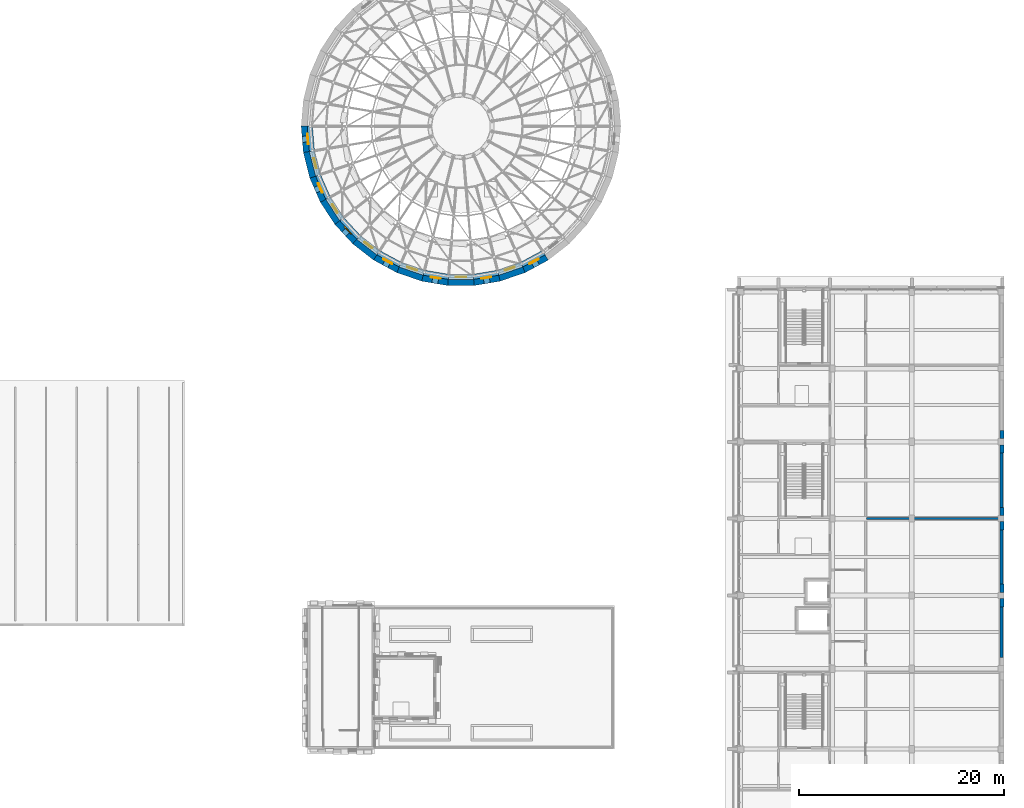
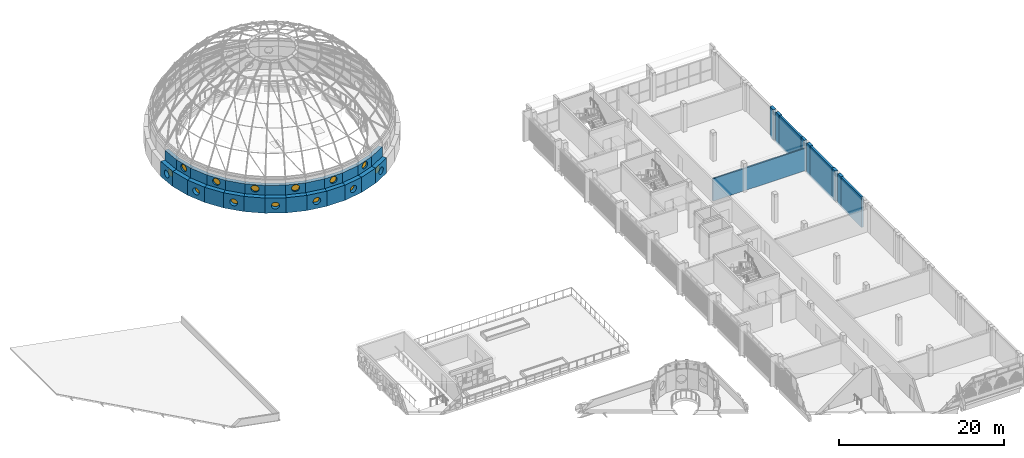
# One storey, part 56 of 98: 36 walls, 13 windows, 13 openings.
"""IFC4 building model written with IfcOpenShell, lengths in metres."""

from ifc_helpers import new_model, si_unit, direction, frame, frame_2d, origin, place, context, subcontext, project, spatial, polyline, rectangle, circle, outline, extrude, material, layer, layer_set, type_object, element, fill, save


model = new_model("IFC4")

# Units and contexts
model_context = context("Model", 3, precision=1e-05, world=origin(), true_north=direction((0.0, 1.0)))
body_context = subcontext(model_context, "Body", "Model", "MODEL_VIEW")
ifc_project = project(units=[si_unit("LENGTHUNIT", "METRE"), si_unit("AREAUNIT", "SQUARE_METRE"), si_unit("VOLUMEUNIT", "CUBIC_METRE"), si_unit("PLANEANGLEUNIT", "RADIAN"), si_unit("MASSUNIT", "GRAM", prefix="KILO")], contexts=[model_context])

# Site, building, storey
site_placement = place(None, origin())
site = spatial("IfcSite", under=ifc_project, at=site_placement, CompositionType="ELEMENT")
building_placement = place(site_placement, origin())
building = spatial("IfcBuilding", under=site, at=building_placement, Name="Sun Court Science Centre", CompositionType="ELEMENT")
storey_placement = place(building_placement, frame((0.0, 0.0, 15.75)))
storey = spatial("IfcBuildingStorey", under=building, at=storey_placement, Name="L03", CompositionType="ELEMENT", Elevation=15.75)

# Wall
ifc_material_1 = material(Name="Concrete block", Category="concrete")
ifc_layer_1 = layer(ifc_material_1, 0.199951171875)
ifc_layer_set_1 = layer_set([ifc_layer_1], Name="Concrete block")
wall_type_1 = type_object("IfcWallType", Name="Partition 200 laboratory block", PredefinedType="PARTITIONING", material=ifc_layer_set_1)
wall_1_placement = place(storey_placement, frame((90.60009765625, 58.5, 0.0), z_axis=(0.0, 0.0, 1.0), x_axis=(1.0, 0.0, 0.0)))
element("IfcWall", 1, at=wall_1_placement, inside=storey, type_object=wall_type_1, Name="L03 partition 012", PredefinedType="PARTITIONING", context=body_context, shape_type="SweptSolid", body=[
    extrude(rectangle(XDim=13.199951171875, YDim=0.199951171875, at=frame_2d((6.60009765625, 0.0))), origin(), (0.0, 0.0, 1.0), 3.300048828125),
])

# Wall, opening, window
ifc_material_2 = material(Name="Concrete C30/37", Category="concrete")
ifc_layer_2 = layer(ifc_material_2, 1.097900390625)
ifc_layer_set_2 = layer_set([ifc_layer_2], Name="Concrete C30/37")
wall_type_2 = type_object("IfcWallType", Name="RC drum wall exterior 1098", PredefinedType="SHEAR", material=ifc_layer_set_2)
wall_2_placement = place(storey_placement, frame((35.947021484375, 96.84521484375, -0.300048828125), z_axis=(0.0, 0.0, 1.0), x_axis=(0.082629840091, -0.996580307615, 0.0)))
wall_2 = element("IfcWall", 2, at=wall_2_placement, inside=storey, type_object=wall_type_2, Name="Drum wall L03 course 1 segment 19", PredefinedType="SHEAR", context=body_context, shape_type="SweptSolid", body=[
    extrude(outline(polyline([(-0.000244140625, -0.549072265625), (2.576171875, -0.549072265625), (2.4853515625, 0.549072265625), (0.0908203125, 0.549072265625), (-0.000244140625, -0.549072265625)])), origin(), (0.0, 0.0, 1.0), 2.25),
])
opening_1_placement = place(wall_2_placement, frame((0.788330078125, 0.0, 0.60009765625)))
opening_1 = element("IfcOpeningElement", 3, at=opening_1_placement, cuts=wall_2, Name="Opening WN-L03-062", PredefinedType="OPENING", context=body_context, shape_type="SweptSolid", body=[
    extrude(circle(Radius=0.5, at=frame_2d((0.5, 0.5))), frame((0.0, 0.558837890625, 0.0), z_axis=(0.0, -1.0, 0.0), x_axis=(1.0, 0.0, 0.0)), (0.0, 0.0, 1.0), 1.117919921875),
])
ifc_material_3 = material(Name="Aluminium frame, 6-12-6 glazing", Category="aluminium")
window_type = type_object("IfcWindowType", Name="Round porthole 1000", PartitioningType="SINGLE_PANEL", PredefinedType="WINDOW", material=ifc_material_3)
window_1_placement = place(opening_1_placement, origin())
window_1 = element("IfcWindow", 4, at=window_1_placement, inside=storey, type_object=window_type, Name="Drum porthole L03 19", OverallHeight=1.0, OverallWidth=1.0, PartitioningType="SINGLE_PANEL", PredefinedType="WINDOW", context=body_context, shape_type="SweptSolid", body=[
    extrude(circle(Radius=0.5, at=frame_2d((0.5, 0.5))), frame((0.0, 0.030029296875, 0.0), z_axis=(0.0, -1.0, 0.0), x_axis=(1.0, 0.0, 0.0)), (0.0, 0.0, 1.0), 0.06005859375),
])
fill(opening_1, window_1)

# Wall
wall_3_placement = place(storey_placement, frame((36.14501953125, 94.3671875, -0.300048828125), z_axis=(0.0, 0.0, 1.0), x_axis=(0.245410595313, -0.969419228048, 0.0)))
element("IfcWall", 5, at=wall_3_placement, inside=storey, type_object=wall_type_2, Name="Drum wall L03 course 1 segment 20", PredefinedType="SHEAR", context=body_context, shape_type="SweptSolid", body=[
    extrude(outline(polyline([(0.0, -0.549072265625), (2.57666015625, -0.548828125), (2.485595703125, 0.549072265625), (0.0908203125, 0.548828125), (0.0, -0.549072265625)])), origin(), (0.0, 0.0, 1.0), 2.25),
])

# Wall, opening, window
wall_4_placement = place(storey_placement, frame((36.748046875, 91.955322265625, -0.300048828125), z_axis=(0.0, 0.0, 1.0), x_axis=(0.401658706786, -0.915789431727, 0.0)))
wall_4 = element("IfcWall", 6, at=wall_4_placement, inside=storey, type_object=wall_type_2, Name="Drum wall L03 course 1 segment 21", PredefinedType="SHEAR", context=body_context, shape_type="SweptSolid", body=[
    extrude(outline(polyline([(0.000244140625, -0.549072265625), (2.57666015625, -0.548828125), (2.4853515625, 0.548828125), (0.09130859375, 0.548828125), (0.000244140625, -0.549072265625)])), origin(), (0.0, 0.0, 1.0), 2.25),
])
opening_2_placement = place(wall_4_placement, frame((0.788330078125, 0.0, 0.60009765625)))
opening_2 = element("IfcOpeningElement", 7, at=opening_2_placement, cuts=wall_4, Name="Opening WN-L03-063", PredefinedType="OPENING", context=body_context, shape_type="SweptSolid", body=[
    extrude(circle(Radius=0.5, at=frame_2d((0.5, 0.5))), frame((0.0, 0.558837890625, 0.0), z_axis=(0.0, -1.0, 0.0), x_axis=(1.0, 0.0, 0.0)), (0.0, 0.0, 1.0), 1.117919921875),
])
window_2_placement = place(opening_2_placement, origin())
window_2 = element("IfcWindow", 8, at=window_2_placement, inside=storey, type_object=window_type, Name="Drum porthole L03 21", OverallHeight=1.0, OverallWidth=1.0, PartitioningType="SINGLE_PANEL", PredefinedType="WINDOW", context=body_context, shape_type="SweptSolid", body=[
    extrude(circle(Radius=0.5, at=frame_2d((0.5, 0.5))), frame((0.0, 0.030029296875, 0.0), z_axis=(0.0, -1.0, 0.0), x_axis=(1.0, 0.0, 0.0)), (0.0, 0.0, 1.0), 0.06005859375),
])
fill(opening_2, window_2)

# Wall
wall_5_placement = place(storey_placement, frame((37.73974609375, 89.675537109375, -0.300048828125), z_axis=(0.0, 0.0, 1.0), x_axis=(0.546935301956, -0.837174877474, 0.0)))
element("IfcWall", 9, at=wall_5_placement, inside=storey, type_object=wall_type_2, Name="Drum wall L03 course 1 segment 22", PredefinedType="SHEAR", context=body_context, shape_type="SweptSolid", body=[
    extrude(outline(polyline([(0.0, -0.548828125), (2.57666015625, -0.548828125), (2.485595703125, 0.549072265625), (0.0908203125, 0.548828125), (0.0, -0.548828125)])), origin(), (0.0, 0.0, 1.0), 2.25),
])

# Wall, opening, window
wall_6_placement = place(storey_placement, frame((39.09326171875, 87.590087890625, -0.300048828125), z_axis=(0.0, 0.0, 1.0), x_axis=(0.677319243908, -0.735689229113, 0.0)))
wall_6 = element("IfcWall", 10, at=wall_6_placement, inside=storey, type_object=wall_type_2, Name="Drum wall L03 course 1 segment 23", PredefinedType="SHEAR", context=body_context, shape_type="SweptSolid", body=[
    extrude(outline(polyline([(0.0, -0.548828125), (2.576416015625, -0.549072265625), (2.485595703125, 0.549072265625), (0.091064453125, 0.549072265625), (0.0, -0.548828125)])), origin(), (0.0, 0.0, 1.0), 2.25),
])
opening_3_placement = place(wall_6_placement, frame((0.788330078125, 0.0, 0.60009765625)))
opening_3 = element("IfcOpeningElement", 11, at=opening_3_placement, cuts=wall_6, Name="Opening WN-L03-064", PredefinedType="OPENING", context=body_context, shape_type="SweptSolid", body=[
    extrude(circle(Radius=0.5, at=frame_2d((0.5, 0.5))), frame((0.0, 0.558837890625, 0.0), z_axis=(0.0, -1.0, 0.0), x_axis=(1.0, 0.0, 0.0)), (0.0, 0.0, 1.0), 1.117919921875),
])
window_3_placement = place(opening_3_placement, origin())
window_3 = element("IfcWindow", 12, at=window_3_placement, inside=storey, type_object=window_type, Name="Drum porthole L03 23", OverallHeight=1.0, OverallWidth=1.0, PartitioningType="SINGLE_PANEL", PredefinedType="WINDOW", context=body_context, shape_type="SweptSolid", body=[
    extrude(circle(Radius=0.5, at=frame_2d((0.5, 0.5))), frame((0.0, 0.030029296875, 0.0), z_axis=(0.0, -1.0, 0.0), x_axis=(1.0, 0.0, 0.0)), (0.0, 0.0, 1.0), 0.06005859375),
])
fill(opening_3, window_3)

# Wall
wall_7_placement = place(storey_placement, frame((40.771484375, 85.755859375, -0.300048828125), z_axis=(0.0, 0.0, 1.0), x_axis=(0.789137872262, -0.614216100865, 0.0)))
element("IfcWall", 13, at=wall_7_placement, inside=storey, type_object=wall_type_2, Name="Drum wall L03 course 1 segment 24", PredefinedType="SHEAR", context=body_context, shape_type="SweptSolid", body=[
    extrude(outline(polyline([(0.0, -0.548828125), (2.576416015625, -0.548828125), (2.485595703125, 0.54931640625), (0.091064453125, 0.549072265625), (0.0, -0.548828125)])), origin(), (0.0, 0.0, 1.0), 2.25),
])

# Wall, opening, window
wall_8_placement = place(storey_placement, frame((42.72900390625, 84.222900390625, -0.300048828125), z_axis=(0.0, 0.0, 1.0), x_axis=(0.879498582299, -0.475901506336, 0.0)))
wall_8 = element("IfcWall", 14, at=wall_8_placement, inside=storey, type_object=wall_type_2, Name="Drum wall L03 course 1 segment 25", PredefinedType="SHEAR", context=body_context, shape_type="SweptSolid", body=[
    extrude(outline(polyline([(-0.000244140625, -0.548828125), (2.576416015625, -0.549072265625), (2.4853515625, 0.548828125), (0.0908203125, 0.549072265625), (-0.000244140625, -0.548828125)])), origin(), (0.0, 0.0, 1.0), 2.25),
])
opening_4_placement = place(wall_8_placement, frame((0.788330078125, 0.0, 0.60009765625)))
opening_4 = element("IfcOpeningElement", 15, at=opening_4_placement, cuts=wall_8, Name="Opening WN-L03-065", PredefinedType="OPENING", context=body_context, shape_type="SweptSolid", body=[
    extrude(circle(Radius=0.5, at=frame_2d((0.5, 0.5))), frame((0.0, 0.558837890625, 0.0), z_axis=(0.0, -1.0, 0.0), x_axis=(1.0, 0.0, 0.0)), (0.0, 0.0, 1.0), 1.117919921875),
])
window_4_placement = place(opening_4_placement, origin())
window_4 = element("IfcWindow", 16, at=window_4_placement, inside=storey, type_object=window_type, Name="Drum porthole L03 25", OverallHeight=1.0, OverallWidth=1.0, PartitioningType="SINGLE_PANEL", PredefinedType="WINDOW", context=body_context, shape_type="SweptSolid", body=[
    extrude(circle(Radius=0.5, at=frame_2d((0.5, 0.5))), frame((0.0, 0.030029296875, 0.0), z_axis=(0.0, -1.0, 0.0), x_axis=(1.0, 0.0, 0.0)), (0.0, 0.0, 1.0), 0.06005859375),
])
fill(opening_4, window_4)

# Wall
wall_9_placement = place(storey_placement, frame((44.911865234375, 83.033203125, -0.300048828125), z_axis=(0.0, 0.0, 1.0), x_axis=(0.945802155288, -0.324743411098, 0.0)))
element("IfcWall", 17, at=wall_9_placement, inside=storey, type_object=wall_type_2, Name="Drum wall L03 course 1 segment 26", PredefinedType="SHEAR", context=body_context, shape_type="SweptSolid", body=[
    extrude(outline(polyline([(0.0, -0.549072265625), (2.576416015625, -0.548828125), (2.4853515625, 0.549072265625), (0.0908203125, 0.549072265625), (0.0, -0.549072265625)])), origin(), (0.0, 0.0, 1.0), 2.25),
])

# Wall, opening, window
wall_10_placement = place(storey_placement, frame((47.2607421875, 82.21875, -0.300048828125), z_axis=(0.0, 0.0, 1.0), x_axis=(0.986360609423, -0.164598749022, 0.0)))
wall_10 = element("IfcWall", 18, at=wall_10_placement, inside=storey, type_object=wall_type_2, Name="Drum wall L03 course 1 segment 27", PredefinedType="SHEAR", context=body_context, shape_type="SweptSolid", body=[
    extrude(outline(polyline([(0.0, -0.548828125), (2.57666015625, -0.548583984375), (2.485595703125, 0.549072265625), (0.091064453125, 0.549072265625), (0.0, -0.548828125)])), origin(), (0.0, 0.0, 1.0), 2.25),
])
opening_5_placement = place(wall_10_placement, frame((0.788330078125, 0.0, 0.60009765625)))
opening_5 = element("IfcOpeningElement", 19, at=opening_5_placement, cuts=wall_10, Name="Opening WN-L03-066", PredefinedType="OPENING", context=body_context, shape_type="SweptSolid", body=[
    extrude(circle(Radius=0.5, at=frame_2d((0.5, 0.5))), frame((0.0, 0.558837890625, 0.0), z_axis=(0.0, -1.0, 0.0), x_axis=(1.0, 0.0, 0.0)), (0.0, 0.0, 1.0), 1.117919921875),
])
window_5_placement = place(opening_5_placement, origin())
window_5 = element("IfcWindow", 20, at=window_5_placement, inside=storey, type_object=window_type, Name="Drum porthole L03 27", OverallHeight=1.0, OverallWidth=1.0, PartitioningType="SINGLE_PANEL", PredefinedType="WINDOW", context=body_context, shape_type="SweptSolid", body=[
    extrude(circle(Radius=0.5, at=frame_2d((0.5, 0.5))), frame((0.0, 0.030029296875, 0.0), z_axis=(0.0, -1.0, 0.0), x_axis=(1.0, 0.0, 0.0)), (0.0, 0.0, 1.0), 0.06005859375),
])
fill(opening_5, window_5)

# Wall
wall_11_placement = place(storey_placement, frame((49.711669921875, 81.80224609375, -0.300048828125), z_axis=(0.0, 0.0, 1.0), x_axis=(1.0, 0.0, 0.0)))
element("IfcWall", 21, at=wall_11_placement, inside=storey, type_object=wall_type_2, Name="Drum wall L03 course 1 segment 28", PredefinedType="SHEAR", context=body_context, shape_type="SweptSolid", body=[
    extrude(outline(polyline([(0.000244140625, -0.548828125), (2.576416015625, -0.548828125), (2.485595703125, 0.549072265625), (0.091064453125, 0.549072265625), (0.000244140625, -0.548828125)])), origin(), (0.0, 0.0, 1.0), 2.25),
])

# Wall, opening, window
wall_12_placement = place(storey_placement, frame((52.197998046875, 81.794677734375, -0.300048828125), z_axis=(0.0, 0.0, 1.0), x_axis=(0.986360609423, 0.164598749022, 0.0)))
wall_12 = element("IfcWall", 22, at=wall_12_placement, inside=storey, type_object=wall_type_2, Name="Drum wall L03 course 1 segment 29", PredefinedType="SHEAR", context=body_context, shape_type="SweptSolid", body=[
    extrude(outline(polyline([(-0.000244140625, -0.548583984375), (2.576416015625, -0.548828125), (2.4853515625, 0.549072265625), (0.0908203125, 0.549072265625), (-0.000244140625, -0.548583984375)])), origin(), (0.0, 0.0, 1.0), 2.25),
])
opening_6_placement = place(wall_12_placement, frame((0.788330078125, 0.0, 0.60009765625)))
opening_6 = element("IfcOpeningElement", 23, at=opening_6_placement, cuts=wall_12, Name="Opening WN-L03-067", PredefinedType="OPENING", context=body_context, shape_type="SweptSolid", body=[
    extrude(circle(Radius=0.5, at=frame_2d((0.5, 0.5))), frame((0.0, 0.558837890625, 0.0), z_axis=(0.0, -1.0, 0.0), x_axis=(1.0, 0.0, 0.0)), (0.0, 0.0, 1.0), 1.117919921875),
])
window_6_placement = place(opening_6_placement, origin())
window_6 = element("IfcWindow", 24, at=window_6_placement, inside=storey, type_object=window_type, Name="Drum porthole L03 29", OverallHeight=1.0, OverallWidth=1.0, PartitioningType="SINGLE_PANEL", PredefinedType="WINDOW", context=body_context, shape_type="SweptSolid", body=[
    extrude(circle(Radius=0.5, at=frame_2d((0.5, 0.5))), frame((0.0, 0.030029296875, 0.0), z_axis=(0.0, -1.0, 0.0), x_axis=(1.0, 0.0, 0.0)), (0.0, 0.0, 1.0), 0.06005859375),
])
fill(opening_6, window_6)

# Wall
wall_13_placement = place(storey_placement, frame((54.6513671875, 82.196533203125, -0.300048828125), z_axis=(0.0, 0.0, 1.0), x_axis=(0.945802155288, 0.324743411098, 0.0)))
element("IfcWall", 25, at=wall_13_placement, inside=storey, type_object=wall_type_2, Name="Drum wall L03 course 1 segment 30", PredefinedType="SHEAR", context=body_context, shape_type="SweptSolid", body=[
    extrude(outline(polyline([(0.0, -0.548828125), (2.576416015625, -0.549072265625), (2.485595703125, 0.549072265625), (0.091064453125, 0.549072265625), (0.0, -0.548828125)])), origin(), (0.0, 0.0, 1.0), 2.25),
])

# Wall, opening, window
wall_14_placement = place(storey_placement, frame((57.005126953125, 82.996826171875, -0.300048828125), z_axis=(0.0, 0.0, 1.0), x_axis=(0.879498582299, 0.475901506336, 0.0)))
wall_14 = element("IfcWall", 26, at=wall_14_placement, inside=storey, type_object=wall_type_2, Name="Drum wall L03 course 1 segment 31", PredefinedType="SHEAR", context=body_context, shape_type="SweptSolid", body=[
    extrude(outline(polyline([(0.0, -0.549072265625), (2.57666015625, -0.548828125), (2.4853515625, 0.549072265625), (0.091064453125, 0.548828125), (0.0, -0.549072265625)])), origin(), (0.0, 0.0, 1.0), 2.25),
])
opening_7_placement = place(wall_14_placement, frame((0.788330078125, 0.0, 0.60009765625)))
opening_7 = element("IfcOpeningElement", 27, at=opening_7_placement, cuts=wall_14, Name="Opening WN-L03-068", PredefinedType="OPENING", context=body_context, shape_type="SweptSolid", body=[
    extrude(circle(Radius=0.5, at=frame_2d((0.5, 0.5))), frame((0.0, 0.558837890625, 0.0), z_axis=(0.0, -1.0, 0.0), x_axis=(1.0, 0.0, 0.0)), (0.0, 0.0, 1.0), 1.117919921875),
])
window_7_placement = place(opening_7_placement, origin())
window_7 = element("IfcWindow", 28, at=window_7_placement, inside=storey, type_object=window_type, Name="Drum porthole L03 31", OverallHeight=1.0, OverallWidth=1.0, PartitioningType="SINGLE_PANEL", PredefinedType="WINDOW", context=body_context, shape_type="SweptSolid", body=[
    extrude(circle(Radius=0.5, at=frame_2d((0.5, 0.5))), frame((0.0, 0.030029296875, 0.0), z_axis=(0.0, -1.0, 0.0), x_axis=(1.0, 0.0, 0.0)), (0.0, 0.0, 1.0), 0.06005859375),
])
fill(opening_7, window_7)

# Wall
ifc_material_4 = material(Name="Concrete C30/37", Category="concrete")
ifc_layer_3 = layer(ifc_material_4, 0.5)
ifc_layer_set_3 = layer_set([ifc_layer_3], Name="Concrete C30/37")
wall_type_3 = type_object("IfcWallType", Name="RC drum wall exterior 500", PredefinedType="SHEAR", material=ifc_layer_set_3)
wall_15_placement = place(storey_placement, frame((36.249267578125, 96.820556640625, 1.949951171875), z_axis=(0.0, 0.0, 1.0), x_axis=(0.082490838195, -0.996591822972, 0.0)))
element("IfcWall", 29, at=wall_15_placement, inside=storey, type_object=wall_type_3, Name="Drum wall L03 course 2 segment 19", PredefinedType="SHEAR", context=body_context, shape_type="SweptSolid", body=[
    extrude(outline(polyline([(-0.000244140625, -0.25), (2.477294921875, -0.25), (2.435791015625, 0.250244140625), (0.041259765625, 0.25), (-0.000244140625, -0.25)])), origin(), (0.0, 0.0, 1.0), 1.449951171875),
])

# Wall, opening, window
wall_16_placement = place(storey_placement, frame((36.447021484375, 94.392333984375, 1.949951171875), z_axis=(0.0, 0.0, 1.0), x_axis=(0.245502761801, -0.969395891238, 0.0)))
wall_16 = element("IfcWall", 30, at=wall_16_placement, inside=storey, type_object=wall_type_3, Name="Drum wall L03 course 2 segment 20", PredefinedType="SHEAR", context=body_context, shape_type="SweptSolid", body=[
    extrude(outline(polyline([(0.0, -0.25), (2.477294921875, -0.25), (2.43603515625, 0.25), (0.041259765625, 0.25), (0.0, -0.25)])), origin(), (0.0, 0.0, 1.0), 1.449951171875),
])
opening_8_placement = place(wall_16_placement, frame((0.73876953125, 0.0, 0.35009765625)))
opening_8 = element("IfcOpeningElement", 31, at=opening_8_placement, cuts=wall_16, Name="Opening WN-L03-075", PredefinedType="OPENING", context=body_context, shape_type="SweptSolid", body=[
    extrude(circle(Radius=0.5, at=frame_2d((0.5, 0.5))), frame((0.0, 0.260009765625, 0.0), z_axis=(0.0, -1.0, 0.0), x_axis=(1.0, 0.0, 0.0)), (0.0, 0.0, 1.0), 0.52001953125),
])
window_8_placement = place(opening_8_placement, origin())
window_8 = element("IfcWindow", 32, at=window_8_placement, inside=storey, type_object=window_type, Name="Drum porthole L03 20", OverallHeight=1.0, OverallWidth=1.0, PartitioningType="SINGLE_PANEL", PredefinedType="WINDOW", context=body_context, shape_type="SweptSolid", body=[
    extrude(circle(Radius=0.5, at=frame_2d((0.5, 0.5))), frame((0.0, 0.030029296875, 0.0), z_axis=(0.0, -1.0, 0.0), x_axis=(1.0, 0.0, 0.0)), (0.0, 0.0, 1.0), 0.06005859375),
])
fill(opening_8, window_8)

# Wall
wall_17_placement = place(storey_placement, frame((37.041748046875, 92.030029296875, 1.949951171875), z_axis=(0.0, 0.0, 1.0), x_axis=(0.401671644692, -0.915783757145, 0.0)))
element("IfcWall", 33, at=wall_17_placement, inside=storey, type_object=wall_type_3, Name="Drum wall L03 course 2 segment 21", PredefinedType="SHEAR", context=body_context, shape_type="SweptSolid", body=[
    extrude(outline(polyline([(0.000244140625, -0.25), (2.477294921875, -0.25), (2.435791015625, 0.25), (0.041748046875, 0.25), (0.000244140625, -0.25)])), origin(), (0.0, 0.0, 1.0), 1.449951171875),
])

# Wall, opening, window
wall_18_placement = place(storey_placement, frame((38.01708984375, 89.797607421875, 1.949951171875), z_axis=(0.0, 0.0, 1.0), x_axis=(0.546943979507, -0.837169208273, 0.0)))
wall_18 = element("IfcWall", 34, at=wall_18_placement, inside=storey, type_object=wall_type_3, Name="Drum wall L03 course 2 segment 22", PredefinedType="SHEAR", context=body_context, shape_type="SweptSolid", body=[
    extrude(outline(polyline([(0.0, -0.25), (2.477294921875, -0.25), (2.43603515625, 0.25), (0.04150390625, 0.25), (0.0, -0.25)])), origin(), (0.0, 0.0, 1.0), 1.449951171875),
])
opening_9_placement = place(wall_18_placement, frame((0.73876953125, 0.0, 0.35009765625)))
opening_9 = element("IfcOpeningElement", 35, at=opening_9_placement, cuts=wall_18, Name="Opening WN-L03-076", PredefinedType="OPENING", context=body_context, shape_type="SweptSolid", body=[
    extrude(circle(Radius=0.5, at=frame_2d((0.5, 0.5))), frame((0.0, 0.260009765625, 0.0), z_axis=(0.0, -1.0, 0.0), x_axis=(1.0, 0.0, 0.0)), (0.0, 0.0, 1.0), 0.52001953125),
])
window_9_placement = place(opening_9_placement, origin())
window_9 = element("IfcWindow", 36, at=window_9_placement, inside=storey, type_object=window_type, Name="Drum porthole L03 22", OverallHeight=1.0, OverallWidth=1.0, PartitioningType="SINGLE_PANEL", PredefinedType="WINDOW", context=body_context, shape_type="SweptSolid", body=[
    extrude(circle(Radius=0.5, at=frame_2d((0.5, 0.5))), frame((0.0, 0.030029296875, 0.0), z_axis=(0.0, -1.0, 0.0), x_axis=(1.0, 0.0, 0.0)), (0.0, 0.0, 1.0), 0.06005859375),
])
fill(opening_9, window_9)

# Wall
wall_19_placement = place(storey_placement, frame((39.346923828125, 87.756103515625, 1.949951171875), z_axis=(0.0, 0.0, 1.0), x_axis=(0.677231577782, -0.735769930111, 0.0)))
element("IfcWall", 37, at=wall_19_placement, inside=storey, type_object=wall_type_3, Name="Drum wall L03 course 2 segment 23", PredefinedType="SHEAR", context=body_context, shape_type="SweptSolid", body=[
    extrude(outline(polyline([(-0.000244140625, -0.25), (2.477294921875, -0.249755859375), (2.435791015625, 0.250244140625), (0.041259765625, 0.25), (-0.000244140625, -0.25)])), origin(), (0.0, 0.0, 1.0), 1.449951171875),
])

# Wall, opening, window
wall_20_placement = place(storey_placement, frame((40.994384765625, 85.96142578125, 1.949951171875), z_axis=(0.0, 0.0, 1.0), x_axis=(0.789097433146, -0.614268053054, 0.0)))
wall_20 = element("IfcWall", 38, at=wall_20_placement, inside=storey, type_object=wall_type_3, Name="Drum wall L03 course 2 segment 24", PredefinedType="SHEAR", context=body_context, shape_type="SweptSolid", body=[
    extrude(outline(polyline([(0.0, -0.25), (2.4775390625, -0.249755859375), (2.43603515625, 0.250244140625), (0.04150390625, 0.25), (0.0, -0.25)])), origin(), (0.0, 0.0, 1.0), 1.449951171875),
])
opening_10_placement = place(wall_20_placement, frame((0.73876953125, 0.0, 0.35009765625)))
opening_10 = element("IfcOpeningElement", 39, at=opening_10_placement, cuts=wall_20, Name="Opening WN-L03-077", PredefinedType="OPENING", context=body_context, shape_type="SweptSolid", body=[
    extrude(circle(Radius=0.5, at=frame_2d((0.5, 0.5))), frame((0.0, 0.260009765625, 0.0), z_axis=(0.0, -1.0, 0.0), x_axis=(1.0, 0.0, 0.0)), (0.0, 0.0, 1.0), 0.52001953125),
])
window_10_placement = place(opening_10_placement, origin())
window_10 = element("IfcWindow", 40, at=window_10_placement, inside=storey, type_object=window_type, Name="Drum porthole L03 24", OverallHeight=1.0, OverallWidth=1.0, PartitioningType="SINGLE_PANEL", PredefinedType="WINDOW", context=body_context, shape_type="SweptSolid", body=[
    extrude(circle(Radius=0.5, at=frame_2d((0.5, 0.5))), frame((0.0, 0.030029296875, 0.0), z_axis=(0.0, -1.0, 0.0), x_axis=(1.0, 0.0, 0.0)), (0.0, 0.0, 1.0), 0.06005859375),
])
fill(opening_10, window_10)

# Wall
wall_21_placement = place(storey_placement, frame((42.914794921875, 84.46240234375, 1.949951171875), z_axis=(0.0, 0.0, 1.0), x_axis=(0.879450125343, -0.475991047221, 0.0)))
element("IfcWall", 41, at=wall_21_placement, inside=storey, type_object=wall_type_3, Name="Drum wall L03 course 2 segment 25", PredefinedType="SHEAR", context=body_context, shape_type="SweptSolid", body=[
    extrude(outline(polyline([(0.000244140625, -0.25), (2.477294921875, -0.249755859375), (2.435791015625, 0.250244140625), (0.04150390625, 0.25), (0.000244140625, -0.25)])), origin(), (0.0, 0.0, 1.0), 1.449951171875),
])

# Wall, opening, window
wall_22_placement = place(storey_placement, frame((45.0556640625, 83.2998046875, 1.949951171875), z_axis=(0.0, 0.0, 1.0), x_axis=(0.945817167916, -0.324699684131, 0.0)))
wall_22 = element("IfcWall", 42, at=wall_22_placement, inside=storey, type_object=wall_type_3, Name="Drum wall L03 course 2 segment 26", PredefinedType="SHEAR", context=body_context, shape_type="SweptSolid", body=[
    extrude(outline(polyline([(0.0, -0.249755859375), (2.477294921875, -0.25), (2.43603515625, 0.25), (0.04150390625, 0.250244140625), (0.0, -0.249755859375)])), origin(), (0.0, 0.0, 1.0), 1.449951171875),
])
opening_11_placement = place(wall_22_placement, frame((0.73876953125, 0.0, 0.35009765625)))
opening_11 = element("IfcOpeningElement", 43, at=opening_11_placement, cuts=wall_22, Name="Opening WN-L03-078", PredefinedType="OPENING", context=body_context, shape_type="SweptSolid", body=[
    extrude(circle(Radius=0.5, at=frame_2d((0.5, 0.5))), frame((0.0, 0.260009765625, 0.0), z_axis=(0.0, -1.0, 0.0), x_axis=(1.0, 0.0, 0.0)), (0.0, 0.0, 1.0), 0.52001953125),
])
window_11_placement = place(opening_11_placement, origin())
window_11 = element("IfcWindow", 44, at=window_11_placement, inside=storey, type_object=window_type, Name="Drum porthole L03 26", OverallHeight=1.0, OverallWidth=1.0, PartitioningType="SINGLE_PANEL", PredefinedType="WINDOW", context=body_context, shape_type="SweptSolid", body=[
    extrude(circle(Radius=0.5, at=frame_2d((0.5, 0.5))), frame((0.0, 0.030029296875, 0.0), z_axis=(0.0, -1.0, 0.0), x_axis=(1.0, 0.0, 0.0)), (0.0, 0.0, 1.0), 0.06005859375),
])
fill(opening_11, window_11)

# Wall
wall_23_placement = place(storey_placement, frame((47.35888671875, 82.505615234375, 1.949951171875), z_axis=(0.0, 0.0, 1.0), x_axis=(0.986364610183, -0.164574772605, 0.0)))
element("IfcWall", 45, at=wall_23_placement, inside=storey, type_object=wall_type_3, Name="Drum wall L03 course 2 segment 27", PredefinedType="SHEAR", context=body_context, shape_type="SweptSolid", body=[
    extrude(outline(polyline([(0.0, -0.25), (2.477294921875, -0.25), (2.43603515625, 0.25), (0.04150390625, 0.25), (0.0, -0.25)])), origin(), (0.0, 0.0, 1.0), 1.449951171875),
])

# Wall, opening, window
wall_24_placement = place(storey_placement, frame((49.76123046875, 82.101318359375, 1.949951171875), z_axis=(0.0, 0.0, 1.0), x_axis=(1.0, 0.0, 0.0)))
wall_24 = element("IfcWall", 46, at=wall_24_placement, inside=storey, type_object=wall_type_3, Name="Drum wall L03 course 2 segment 28", PredefinedType="SHEAR", context=body_context, shape_type="SweptSolid", body=[
    extrude(outline(polyline([(0.0, -0.25), (2.4775390625, -0.25), (2.43603515625, 0.25), (0.04150390625, 0.25), (0.0, -0.25)])), origin(), (0.0, 0.0, 1.0), 1.449951171875),
])
opening_12_placement = place(wall_24_placement, frame((0.73876953125, 0.0, 0.35009765625)))
opening_12 = element("IfcOpeningElement", 47, at=opening_12_placement, cuts=wall_24, Name="Opening WN-L03-079", PredefinedType="OPENING", context=body_context, shape_type="SweptSolid", body=[
    extrude(circle(Radius=0.5, at=frame_2d((0.5, 0.5))), frame((0.0, 0.260009765625, 0.0), z_axis=(0.0, -1.0, 0.0), x_axis=(1.0, 0.0, 0.0)), (0.0, 0.0, 1.0), 0.52001953125),
])
window_12_placement = place(opening_12_placement, origin())
window_12 = element("IfcWindow", 48, at=window_12_placement, inside=storey, type_object=window_type, Name="Drum porthole L03 28", OverallHeight=1.0, OverallWidth=1.0, PartitioningType="SINGLE_PANEL", PredefinedType="WINDOW", context=body_context, shape_type="SweptSolid", body=[
    extrude(circle(Radius=0.5, at=frame_2d((0.5, 0.5))), frame((0.0, 0.030029296875, 0.0), z_axis=(0.0, -1.0, 0.0), x_axis=(1.0, 0.0, 0.0)), (0.0, 0.0, 1.0), 0.06005859375),
])
fill(opening_12, window_12)

# Wall
wall_25_placement = place(storey_placement, frame((52.197509765625, 82.097900390625, 1.949951171875), z_axis=(0.0, 0.0, 1.0), x_axis=(0.986364610183, 0.164574772605, 0.0)))
element("IfcWall", 49, at=wall_25_placement, inside=storey, type_object=wall_type_3, Name="Drum wall L03 course 2 segment 29", PredefinedType="SHEAR", context=body_context, shape_type="SweptSolid", body=[
    extrude(outline(polyline([(0.0, -0.25), (2.4775390625, -0.25), (2.43603515625, 0.25), (0.04150390625, 0.25), (0.0, -0.25)])), origin(), (0.0, 0.0, 1.0), 1.449951171875),
])

# Wall, opening, window
wall_26_placement = place(storey_placement, frame((54.60107421875, 82.495361328125, 1.949951171875), z_axis=(0.0, 0.0, 1.0), x_axis=(0.945817167916, 0.324699684131, 0.0)))
wall_26 = element("IfcWall", 50, at=wall_26_placement, inside=storey, type_object=wall_type_3, Name="Drum wall L03 course 2 segment 30", PredefinedType="SHEAR", context=body_context, shape_type="SweptSolid", body=[
    extrude(outline(polyline([(0.000244140625, -0.25), (2.4775390625, -0.249755859375), (2.43603515625, 0.250244140625), (0.04150390625, 0.25), (0.000244140625, -0.25)])), origin(), (0.0, 0.0, 1.0), 1.449951171875),
])
opening_13_placement = place(wall_26_placement, frame((0.73876953125, 0.0, 0.35009765625)))
opening_13 = element("IfcOpeningElement", 51, at=opening_13_placement, cuts=wall_26, Name="Opening WN-L03-080", PredefinedType="OPENING", context=body_context, shape_type="SweptSolid", body=[
    extrude(circle(Radius=0.5, at=frame_2d((0.5, 0.5))), frame((0.0, 0.260009765625, 0.0), z_axis=(0.0, -1.0, 0.0), x_axis=(1.0, 0.0, 0.0)), (0.0, 0.0, 1.0), 0.52001953125),
])
window_13_placement = place(opening_13_placement, origin())
window_13 = element("IfcWindow", 52, at=window_13_placement, inside=storey, type_object=window_type, Name="Drum porthole L03 30", OverallHeight=1.0, OverallWidth=1.0, PartitioningType="SINGLE_PANEL", PredefinedType="WINDOW", context=body_context, shape_type="SweptSolid", body=[
    extrude(circle(Radius=0.5, at=frame_2d((0.5, 0.5))), frame((0.0, 0.030029296875, 0.0), z_axis=(0.0, -1.0, 0.0), x_axis=(1.0, 0.0, 0.0)), (0.0, 0.0, 1.0), 0.06005859375),
])
fill(opening_13, window_13)

# Walls
wall_27_placement = place(storey_placement, frame((56.906494140625, 83.283203125, 1.949951171875), z_axis=(0.0, 0.0, 1.0), x_axis=(0.879450125343, 0.475991047221, 0.0)))
element("IfcWall", 53, at=wall_27_placement, inside=storey, type_object=wall_type_3, Name="Drum wall L03 course 2 segment 31", PredefinedType="SHEAR", context=body_context, shape_type="SweptSolid", body=[
    extrude(outline(polyline([(0.0, -0.249755859375), (2.477294921875, -0.25), (2.435791015625, 0.25), (0.04150390625, 0.250244140625), (0.0, -0.249755859375)])), origin(), (0.0, 0.0, 1.0), 1.449951171875),
])
ifc_material_5 = material(Name="Concrete C30/37", Category="concrete")
ifc_layer_4 = layer(ifc_material_5, 0.39990234375)
ifc_layer_set_4 = layer_set([ifc_layer_4], Name="Concrete C30/37")
wall_type_4 = type_object("IfcWallType", Name="RC party wall exterior 400", PredefinedType="SOLIDWALL", material=ifc_layer_set_4)
for number, where, z_axis, x_axis, name in (
    (54, (103.800048828125, 49.89990234375, -0.300048828125), (0.0, 0.0, 1.0), (0.0, 1.0, 0.0), "East party wall L03"),
    (55, (103.800048828125, 51.300048828125, -0.300048828125), (0.0, 0.0, 1.0), (0.0, 1.0, 0.0), "East party wall L03"),
    (56, (103.800048828125, 57.39990234375, -0.300048828125), (0.0, 0.0, 1.0), (0.0, 1.0, 0.0), "East party wall L03"),
    (57, (103.800048828125, 58.800048828125, -0.300048828125), (0.0, 0.0, 1.0), (0.0, 1.0, 0.0), "East party wall L03"),
    (58, (103.800048828125, 64.89990234375, -0.300048828125), (0.0, 0.0, 1.0), (0.0, 1.0, 0.0), "East party wall L03"),
    (59, (103.800048828125, 66.300048828125, -0.300048828125), (0.0, 0.0, 1.0), (0.0, 1.0, 0.0), "East party wall L03"),
):
    element("IfcWall", number, at=place(storey_placement, frame(where, z_axis=z_axis, x_axis=x_axis)), inside=storey, type_object=wall_type_4, Name=name, PredefinedType="SOLIDWALL", context=body_context, shape_type="SweptSolid", body=[
        extrude(rectangle(XDim=0.800048828125, YDim=0.39990234375, at=frame_2d((0.39990234375, 0.0))), origin(), (0.0, 0.0, 1.0), 4.5),
    ])
ifc_material_6 = material(Name="Concrete C30/37", Category="concrete")
ifc_layer_5 = layer(ifc_material_6, 0.300048828125)
ifc_layer_set_5 = layer_set([ifc_layer_5], Name="Concrete C30/37")
wall_type_5 = type_object("IfcWallType", Name="RC party wall panel exterior 300", PredefinedType="SOLIDWALL", material=ifc_layer_set_5)
wall_28_placement = place(storey_placement, frame((103.75, 44.949951171875, -0.300048828125), z_axis=(0.0, 0.0, 1.0), x_axis=(0.0, 1.0, 0.0)))
element("IfcWall", 60, at=wall_28_placement, inside=storey, type_object=wall_type_5, Name="East party wall L03 panel", PredefinedType="SOLIDWALL", context=body_context, shape_type="SweptSolid", body=[
    extrude(rectangle(XDim=4.949951171875, YDim=0.300048828125, at=frame_2d((2.47509765625, 0.0))), origin(), (0.0, 0.0, 1.0), 4.5),
])
for number, where, z_axis, x_axis, name in (
    (61, (103.75, 52.10009765625, -0.300048828125), (0.0, 0.0, 1.0), (0.0, 1.0, 0.0), "East party wall L03 panel"),
    (62, (103.75, 59.60009765625, -0.300048828125), (0.0, 0.0, 1.0), (0.0, 1.0, 0.0), "East party wall L03 panel"),
):
    element("IfcWall", number, at=place(storey_placement, frame(where, z_axis=z_axis, x_axis=x_axis)), inside=storey, type_object=wall_type_5, Name=name, PredefinedType="SOLIDWALL", context=body_context, shape_type="SweptSolid", body=[
        extrude(rectangle(XDim=5.2998046875, YDim=0.300048828125, at=frame_2d((2.64990234375, 0.0))), origin(), (0.0, 0.0, 1.0), 4.5),
    ])

save(model, "model.ifc")
